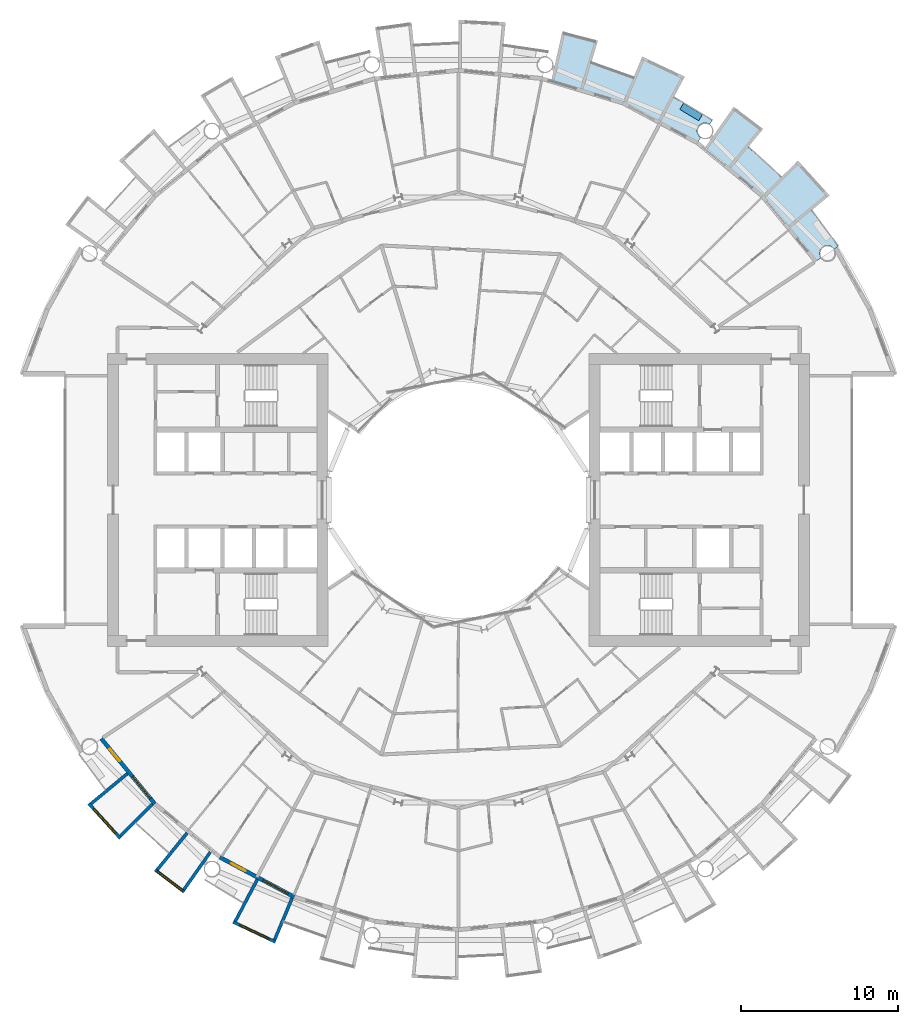
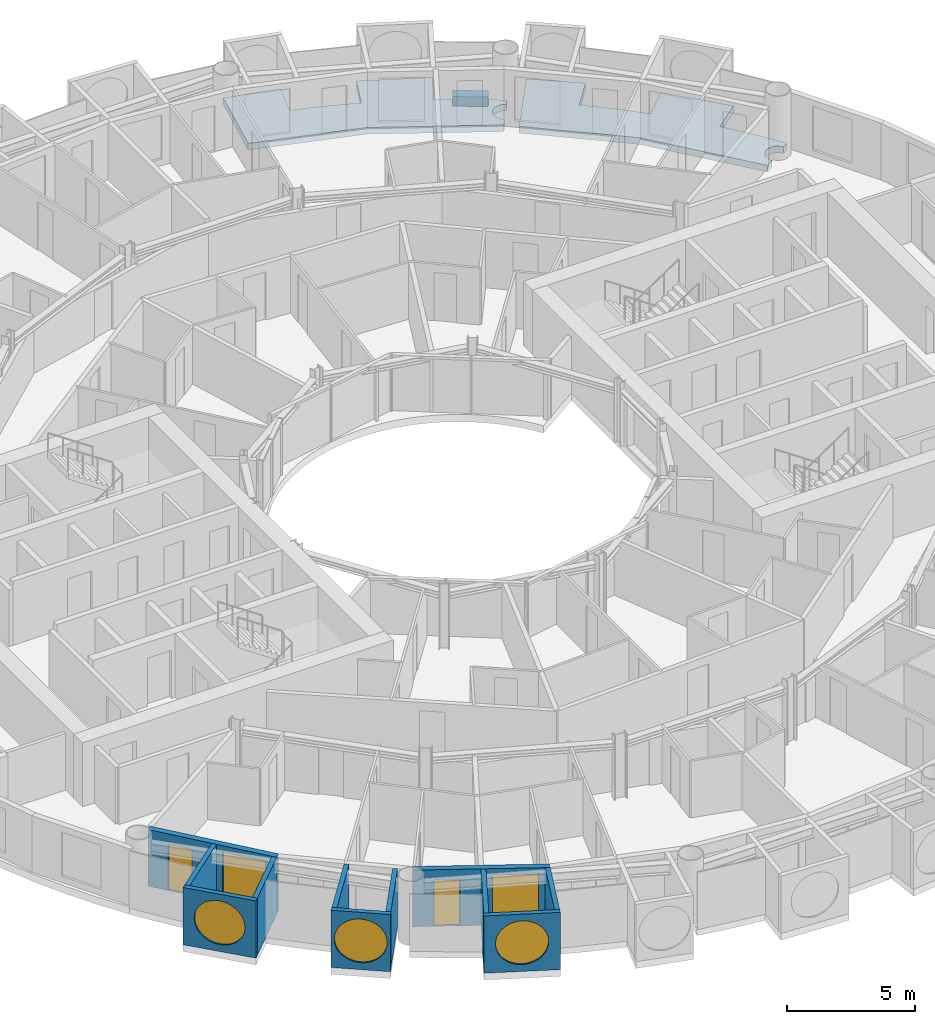
# One storey, part 12 of 26: 11 walls, 5 windows, 3 slabs, 2 doors, 7 openings.
"""IFC4 building model written with IfcOpenShell, lengths in metres."""

from ifc_helpers import new_model, si_unit, direction, frame, frame_2d, origin, place, context, subcontext, project, spatial, polyline, rectangle, circle, outline, extrude, material, layer, layer_set, type_object, element, fill, save


model = new_model("IFC4")

# Units and contexts
model_context = context("Model", 3, precision=1e-05, world=origin(), true_north=direction((0.0, 1.0)))
body_context = subcontext(model_context, "Body", "Model", "MODEL_VIEW")
ifc_project = project(units=[si_unit("LENGTHUNIT", "METRE"), si_unit("AREAUNIT", "SQUARE_METRE"), si_unit("VOLUMEUNIT", "CUBIC_METRE"), si_unit("PLANEANGLEUNIT", "RADIAN"), si_unit("MASSUNIT", "GRAM", prefix="KILO")], contexts=[model_context])

# Site, building, storey
site_placement = place(None, origin())
site = spatial("IfcSite", under=ifc_project, at=site_placement, CompositionType="ELEMENT")
building_placement = place(site_placement, origin())
building = spatial("IfcBuilding", under=site, at=building_placement, Name="Maasbend Ring Residences", CompositionType="ELEMENT")
storey_placement = place(building_placement, frame((0.0, 0.0, 84.949951171875)))
storey = spatial("IfcBuildingStorey", under=building, at=storey_placement, Name="L24", CompositionType="ELEMENT", Elevation=84.949951171875)

# Slabs
ifc_material_1 = material(Name="Planting with climbing greenery")
ifc_layer_1 = layer(ifc_material_1, 0.449951171875)
ifc_layer_set_1 = layer_set([ifc_layer_1], Name="PLANTER-LG")
slab_type_1 = type_object("IfcSlabType", Name="PLANTER-LG", PredefinedType="USERDEFINED", material=ifc_layer_set_1)
slab_1_placement = place(storey_placement, frame((0.0, 0.0, -0.030029296875)))
element("IfcSlab", 1, at=slab_1_placement, inside=storey, type_object=slab_type_1, Name="Planter with climbing greenery 2", ObjectType="PLANTER", PredefinedType="USERDEFINED", context=body_context, shape_type="SweptSolid", body=[
    extrude(outline(polyline([(15.490966796875, 24.48388671875), (14.291015625, 25.2041015625), (14.05908203125, 24.818115234375), (15.260009765625, 24.097900390625), (15.490966796875, 24.48388671875)])), origin(), (0.0, 0.0, 1.0), 0.4501953125),
])
ifc_material_2 = material(Name="Concrete C40/50", Category="concrete")
ifc_layer_2 = layer(ifc_material_2, 0.199951171875)
ifc_layer_set_2 = layer_set([ifc_layer_2], Name="Concrete C40/50")
slab_type_2 = type_object("IfcSlabType", Name="SL-LOGGIA", PredefinedType="FLOOR", material=ifc_layer_set_2)
slab_2_placement = place(storey_placement, frame((0.0, 0.0, -0.349853515625)))
element("IfcSlab", 2, at=slab_2_placement, inside=storey, type_object=slab_type_2, Name="Loggia floor 1", PredefinedType="FLOOR", context=body_context, shape_type="SweptSolid", body=[
    extrude(outline(polyline([(8.85400390625, 29.18701171875), (8.85400390625, 29.18701171875), (8.85400390625, 29.18701171875), (8.41796875, 27.751953125), (8.41796875, 27.751953125), (8.41796875, 27.751953125), (8.41796875, 27.751953125), (8.41796875, 27.751953125), (8.41796875, 27.751953125), (8.41796875, 27.7509765625), (8.41796875, 27.7509765625), (8.41796875, 27.7509765625), (8.41796875, 27.7509765625), (8.41796875, 27.7509765625), (8.4189453125, 27.7509765625), (8.4189453125, 27.7509765625), (8.4189453125, 27.7509765625), (8.4189453125, 27.7509765625), (8.4189453125, 27.7509765625), (8.4189453125, 27.7509765625), (9.322021484375, 27.4609375), (9.322021484375, 27.4609375), (10.215087890625, 27.14111328125), (10.215087890625, 27.14111328125), (11.096923828125, 26.79296875), (11.096923828125, 26.79296875), (11.096923828125, 26.79296875), (11.097900390625, 26.79296875), (11.097900390625, 26.79296875), (11.097900390625, 26.79296875), (11.097900390625, 26.79296875), (11.097900390625, 26.79296875), (11.097900390625, 26.79296875), (11.097900390625, 26.79296875), (11.097900390625, 26.79296875), (11.097900390625, 26.79296875), (11.097900390625, 26.79296875), (11.097900390625, 26.79296875), (11.097900390625, 26.79296875), (11.097900390625, 26.79296875), (11.097900390625, 26.79296875), (11.672119140625, 28.177978515625), (11.672119140625, 28.177978515625), (11.672119140625, 28.177978515625), (14.3779296875, 26.89892578125), (14.3779296875, 26.89892578125), (14.3779296875, 26.89892578125), (13.6708984375, 25.575927734375), (13.6708984375, 25.575927734375), (13.6708984375, 25.575927734375), (13.6708984375, 25.575927734375), (13.6708984375, 25.575927734375), (13.6708984375, 25.575927734375), (13.6708984375, 25.575927734375), (13.6708984375, 25.575927734375), (13.6708984375, 25.575927734375), (13.6708984375, 25.575927734375), (13.6708984375, 25.575927734375), (13.6708984375, 25.575927734375), (13.6708984375, 25.575927734375), (13.6708984375, 25.575927734375), (13.6708984375, 25.575927734375), (13.6708984375, 25.575927734375), (13.6708984375, 25.574951171875), (14.5, 25.114990234375), (14.5, 25.114990234375), (15.31396484375, 24.626953125), (15.31396484375, 24.626953125), (16.112060546875, 24.113037109375), (16.112060546875, 24.113037109375), (16.112060546875, 24.113037109375), (15.948974609375, 23.8701171875), (15.93896484375, 23.876953125), (15.927978515625, 23.883056640625), (15.9169921875, 23.888916015625), (15.906982421875, 23.89501953125), (15.89599609375, 23.90087890625), (15.884033203125, 23.906982421875), (15.873046875, 23.912109375), (15.862060546875, 23.9169921875), (15.85009765625, 23.9208984375), (15.837890625, 23.926025390625), (15.825927734375, 23.929931640625), (15.81494140625, 23.93408203125), (15.802978515625, 23.93701171875), (15.791015625, 23.93994140625), (15.778076171875, 23.943115234375), (15.76611328125, 23.946044921875), (15.75390625, 23.947998046875), (15.741943359375, 23.949951171875), (15.72900390625, 23.951904296875), (15.717041015625, 23.952880859375), (15.7041015625, 23.9541015625), (15.69189453125, 23.955078125), (15.679931640625, 23.955078125), (15.6669921875, 23.955078125), (15.655029296875, 23.955078125), (15.64208984375, 23.955078125), (15.6298828125, 23.9541015625), (15.616943359375, 23.952880859375), (15.60498046875, 23.951904296875), (15.593017578125, 23.949951171875), (15.580078125, 23.947998046875), (15.568115234375, 23.946044921875), (15.555908203125, 23.943115234375), (15.5439453125, 23.93994140625), (15.531982421875, 23.93701171875), (15.52001953125, 23.93408203125), (15.508056640625, 23.929931640625), (15.49609375, 23.926025390625), (15.48388671875, 23.9208984375), (15.472900390625, 23.9169921875), (15.4609375, 23.912109375), (15.449951171875, 23.906982421875), (15.43896484375, 23.90087890625), (15.427978515625, 23.89501953125), (15.4169921875, 23.888916015625), (15.406005859375, 23.883056640625), (15.39501953125, 23.876953125), (15.385009765625, 23.8701171875), (15.375, 23.863037109375), (15.364013671875, 23.85498046875), (15.35498046875, 23.847900390625), (15.344970703125, 23.840087890625), (15.3349609375, 23.83203125), (15.325927734375, 23.823974609375), (15.31689453125, 23.81494140625), (15.30810546875, 23.806884765625), (15.299072265625, 23.798095703125), (15.291015625, 23.7890625), (15.281982421875, 23.779052734375), (15.27392578125, 23.77001953125), (15.26708984375, 23.760009765625), (15.259033203125, 23.75), (15.251953125, 23.739990234375), (15.2451171875, 23.72998046875), (15.238037109375, 23.718994140625), (15.23095703125, 23.708984375), (15.22509765625, 23.697998046875), (15.218994140625, 23.68701171875), (15.212890625, 23.676025390625), (15.2080078125, 23.6650390625), (15.202880859375, 23.653076171875), (15.197998046875, 23.64208984375), (15.193115234375, 23.6298828125), (15.18896484375, 23.618896484375), (15.18505859375, 23.60693359375), (15.180908203125, 23.594970703125), (15.177978515625, 23.5830078125), (15.174072265625, 23.571044921875), (15.1708984375, 23.55908203125), (15.1689453125, 23.547119140625), (15.1669921875, 23.533935546875), (15.1650390625, 23.52197265625), (15.1630859375, 23.510009765625), (15.162109375, 23.4970703125), (15.159912109375, 23.485107421875), (15.159912109375, 23.471923828125), (15.158935546875, 23.4599609375), (15.158935546875, 23.447021484375), (15.158935546875, 23.43505859375), (15.159912109375, 23.422119140625), (15.159912109375, 23.409912109375), (15.162109375, 23.39794921875), (15.1630859375, 23.385009765625), (15.1650390625, 23.373046875), (15.1669921875, 23.361083984375), (15.1689453125, 23.347900390625), (15.1708984375, 23.3359375), (15.174072265625, 23.323974609375), (15.177978515625, 23.31201171875), (15.180908203125, 23.300048828125), (15.18505859375, 23.2880859375), (15.18896484375, 23.27587890625), (15.193115234375, 23.264892578125), (15.197998046875, 23.2529296875), (15.202880859375, 23.241943359375), (15.2080078125, 23.22998046875), (15.212890625, 23.218994140625), (15.218994140625, 23.2080078125), (15.22509765625, 23.197021484375), (15.23095703125, 23.18603515625), (15.238037109375, 23.176025390625), (15.2451171875, 23.1650390625), (15.251953125, 23.155029296875), (15.259033203125, 23.14501953125), (15.26708984375, 23.135009765625), (15.27392578125, 23.125), (15.281982421875, 23.115966796875), (15.291015625, 23.10595703125), (15.299072265625, 23.096923828125), (15.30810546875, 23.087890625), (15.31689453125, 23.0791015625), (15.325927734375, 23.071044921875), (15.3349609375, 23.06298828125), (15.344970703125, 23.054931640625), (15.35498046875, 23.047119140625), (15.364013671875, 23.0390625), (15.375, 23.031982421875), (15.385009765625, 23.02490234375), (15.1669921875, 22.698974609375), (15.1669921875, 22.698974609375), (15.1669921875, 22.698974609375), (12.806884765625, 23.9609375), (10.447021484375, 25.221923828125), (10.447021484375, 25.221923828125), (10.447021484375, 25.221923828125), (7.886962890625, 25.9990234375), (5.89111328125, 26.60400390625), (5.89111328125, 26.60400390625), (5.89111328125, 26.60400390625), (6.593994140625, 29.779052734375), (6.593994140625, 29.779052734375), (6.593994140625, 29.779052734375), (8.85400390625, 29.18701171875)])), origin(), (0.0, 0.0, 1.0), 0.31982421875),
])
slab_3_placement = place(storey_placement, frame((0.0, 0.0, -0.349853515625)))
element("IfcSlab", 3, at=slab_3_placement, inside=storey, type_object=slab_type_2, Name="Loggia floor 4", PredefinedType="FLOOR", context=body_context, shape_type="SweptSolid", body=[
    extrude(outline(polyline([(19.34912109375, 23.576904296875), (19.34912109375, 23.576904296875), (19.34912109375, 23.576904296875), (18.39794921875, 22.41796875), (18.39794921875, 22.41796875), (18.39794921875, 22.41796875), (18.39794921875, 22.41796875), (18.39794921875, 22.41796875), (18.39794921875, 22.4169921875), (18.39794921875, 22.4169921875), (18.39794921875, 22.4169921875), (18.39794921875, 22.4169921875), (18.39794921875, 22.4169921875), (18.39794921875, 22.4169921875), (18.39794921875, 22.4169921875), (18.39794921875, 22.4169921875), (18.39794921875, 22.4169921875), (18.39794921875, 22.4169921875), (18.39794921875, 22.4169921875), (18.39794921875, 22.4169921875), (19.12109375, 21.802978515625), (19.12109375, 21.802978515625), (19.823974609375, 21.166015625), (19.823974609375, 21.166015625), (20.506103515625, 20.506103515625), (20.506103515625, 20.506103515625), (20.506103515625, 20.506103515625), (20.506103515625, 20.506103515625), (20.506103515625, 20.506103515625), (20.506103515625, 20.506103515625), (20.506103515625, 20.506103515625), (20.506103515625, 20.506103515625), (20.506103515625, 20.506103515625), (20.506103515625, 20.506103515625), (20.506103515625, 20.506103515625), (20.506103515625, 20.506103515625), (20.506103515625, 20.506103515625), (20.506103515625, 20.506103515625), (20.506103515625, 20.506103515625), (20.506103515625, 20.506103515625), (20.506103515625, 20.506103515625), (21.56689453125, 21.56689453125), (21.56689453125, 21.56689453125), (21.56689453125, 21.56689453125), (23.576904296875, 19.34912109375), (23.576904296875, 19.34912109375), (23.576904296875, 19.34912109375), (22.41796875, 18.39794921875), (22.41796875, 18.39794921875), (22.41796875, 18.39794921875), (22.41796875, 18.39794921875), (22.41796875, 18.39794921875), (22.41796875, 18.39794921875), (22.41796875, 18.39697265625), (22.41796875, 18.39697265625), (22.41796875, 18.39697265625), (22.41796875, 18.39697265625), (22.41796875, 18.39697265625), (22.41796875, 18.39697265625), (22.41796875, 18.39697265625), (22.41796875, 18.39697265625), (22.41796875, 18.39697265625), (22.41796875, 18.39697265625), (22.41796875, 18.39697265625), (23.007080078125, 17.654052734375), (23.007080078125, 17.654052734375), (23.572998046875, 16.89208984375), (23.572998046875, 16.89208984375), (24.113037109375, 16.112060546875), (24.113037109375, 16.112060546875), (24.113037109375, 16.112060546875), (23.8701171875, 15.948974609375), (23.8701171875, 15.948974609375), (23.863037109375, 15.9599609375), (23.85498046875, 15.969970703125), (23.847900390625, 15.97998046875), (23.840087890625, 15.989013671875), (23.83203125, 15.9990234375), (23.823974609375, 16.008056640625), (23.81494140625, 16.01708984375), (23.806884765625, 16.02587890625), (23.798095703125, 16.034912109375), (23.7890625, 16.0439453125), (23.779052734375, 16.052001953125), (23.77001953125, 16.06005859375), (23.760009765625, 16.068115234375), (23.75, 16.074951171875), (23.739990234375, 16.08203125), (23.72998046875, 16.089111328125), (23.718994140625, 16.095947265625), (23.708984375, 16.10302734375), (23.697998046875, 16.10888671875), (23.68701171875, 16.114990234375), (23.676025390625, 16.12109375), (23.6650390625, 16.1259765625), (23.653076171875, 16.132080078125), (23.64208984375, 16.135986328125), (23.6298828125, 16.14111328125), (23.618896484375, 16.14501953125), (23.60693359375, 16.14892578125), (23.594970703125, 16.153076171875), (23.5830078125, 16.156982421875), (23.571044921875, 16.159912109375), (23.55908203125, 16.1630859375), (23.547119140625, 16.1650390625), (23.533935546875, 16.16796875), (23.52197265625, 16.169921875), (23.510009765625, 16.1708984375), (23.4970703125, 16.173095703125), (23.485107421875, 16.174072265625), (23.471923828125, 16.174072265625), (23.4599609375, 16.175048828125), (23.447021484375, 16.175048828125), (23.43505859375, 16.175048828125), (23.422119140625, 16.174072265625), (23.409912109375, 16.174072265625), (23.39794921875, 16.173095703125), (23.385009765625, 16.1708984375), (23.373046875, 16.169921875), (23.361083984375, 16.16796875), (23.347900390625, 16.1650390625), (23.3359375, 16.1630859375), (23.323974609375, 16.159912109375), (23.31201171875, 16.156982421875), (23.300048828125, 16.153076171875), (23.2880859375, 16.14892578125), (23.27587890625, 16.14501953125), (23.264892578125, 16.14111328125), (23.2529296875, 16.135986328125), (23.241943359375, 16.132080078125), (23.22998046875, 16.1259765625), (23.218994140625, 16.12109375), (23.2080078125, 16.114990234375), (23.197021484375, 16.10888671875), (23.18603515625, 16.10302734375), (23.176025390625, 16.095947265625), (23.1650390625, 16.089111328125), (23.155029296875, 16.08203125), (23.14501953125, 16.074951171875), (23.135009765625, 16.068115234375), (23.125, 16.06005859375), (23.115966796875, 16.052001953125), (23.10595703125, 16.0439453125), (23.096923828125, 16.034912109375), (23.087890625, 16.02587890625), (23.0791015625, 16.01708984375), (23.071044921875, 16.008056640625), (23.06298828125, 15.9990234375), (23.054931640625, 15.989013671875), (23.047119140625, 15.97998046875), (23.0390625, 15.969970703125), (23.031982421875, 15.9599609375), (23.02490234375, 15.948974609375), (23.01806640625, 15.93896484375), (23.011962890625, 15.927978515625), (23.0048828125, 15.9169921875), (22.9990234375, 15.906982421875), (22.993896484375, 15.89599609375), (22.988037109375, 15.884033203125), (22.98291015625, 15.873046875), (22.97802734375, 15.862060546875), (22.972900390625, 15.85009765625), (22.968994140625, 15.837890625), (22.965087890625, 15.825927734375), (22.9609375, 15.81494140625), (22.9580078125, 15.802978515625), (22.955078125, 15.791015625), (22.951904296875, 15.778076171875), (22.948974609375, 15.76611328125), (22.947021484375, 15.75390625), (22.945068359375, 15.741943359375), (22.943115234375, 15.72900390625), (22.94189453125, 15.717041015625), (22.94091796875, 15.7041015625), (22.93994140625, 15.69189453125), (22.93994140625, 15.679931640625), (22.93896484375, 15.6669921875), (22.93994140625, 15.655029296875), (22.93994140625, 15.64208984375), (22.94091796875, 15.6298828125), (22.94189453125, 15.616943359375), (22.943115234375, 15.60498046875), (22.945068359375, 15.593017578125), (22.947021484375, 15.580078125), (22.948974609375, 15.568115234375), (22.951904296875, 15.555908203125), (22.955078125, 15.5439453125), (22.9580078125, 15.531982421875), (22.9609375, 15.52001953125), (22.965087890625, 15.508056640625), (22.968994140625, 15.49609375), (22.972900390625, 15.48388671875), (22.97802734375, 15.472900390625), (22.98291015625, 15.4609375), (22.988037109375, 15.449951171875), (22.993896484375, 15.43896484375), (22.9990234375, 15.427978515625), (23.0048828125, 15.4169921875), (23.011962890625, 15.406005859375), (23.01806640625, 15.39501953125), (23.02490234375, 15.385009765625), (23.02490234375, 15.385009765625), (22.698974609375, 15.1669921875), (22.698974609375, 15.1669921875), (22.698974609375, 15.1669921875), (21.001953125, 17.236083984375), (19.303955078125, 19.303955078125), (19.303955078125, 19.303955078125), (19.303955078125, 19.303955078125), (17.236083984375, 21.001953125), (15.623046875, 22.324951171875), (15.623046875, 22.324951171875), (15.623046875, 22.324951171875), (17.488037109375, 24.989013671875), (17.488037109375, 24.989013671875), (17.488037109375, 24.989013671875), (19.34912109375, 23.576904296875)])), origin(), (0.0, 0.0, 1.0), 0.31982421875),
])

# Wall, opening, window
ifc_material_3 = material(Name="Pale anodised aluminium panel", Category="aluminium")
ifc_layer_3 = layer(ifc_material_3, 0.199951171875)
ifc_layer_set_3 = layer_set([ifc_layer_3], Name="EW-BOX")
wall_type_1 = type_object("IfcWallType", Name="EW-BOX", PredefinedType="SOLIDWALL", material=ifc_layer_set_3)
wall_1_placement = place(storey_placement, frame((-23.5029296875, -19.281982421875, -0.030029296875), z_axis=(0.0, 0.0, 1.0), x_axis=(0.671506829416, -0.740998365753, 0.0)))
wall_1 = element("IfcWall", 4, at=wall_1_placement, inside=storey, type_object=wall_type_1, Name="Box front S02", PredefinedType="SOLIDWALL", context=body_context, shape_type="SweptSolid", body=[
    extrude(rectangle(XDim=2.9931640625, YDim=0.199951171875, at=frame_2d((1.49658203125, 0.0))), origin(), (0.0, 0.0, 1.0), 2.72998046875),
])
opening_1_placement = place(wall_1_placement, frame((0.45654296875, 0.0, 0.330078125)))
opening_1 = element("IfcOpeningElement", 5, at=opening_1_placement, cuts=wall_1, Name="Opening W-RD", PredefinedType="OPENING", context=body_context, shape_type="SweptSolid", body=[
    extrude(circle(Radius=1.0400390625, at=frame_2d((1.0400390625, 1.0400390625))), frame((0.0, 0.10986328125, 0.0), z_axis=(0.0, -1.0, 0.0), x_axis=(1.0, 0.0, 0.0)), (0.0, 0.0, 1.0), 0.219970703125),
])
ifc_material_4 = material(Name="Aluminium and clear glass", Category="aluminium")
window_type_1 = type_object("IfcWindowType", Name="W-RD", PartitioningType="SINGLE_PANEL", PredefinedType="WINDOW", material=ifc_material_4)
window_1_placement = place(opening_1_placement, origin())
window_1 = element("IfcWindow", 6, at=window_1_placement, inside=storey, type_object=window_type_1, Name="Round window S02", OverallHeight=2.080078125, OverallWidth=2.080078125, PartitioningType="SINGLE_PANEL", PredefinedType="WINDOW", context=body_context, shape_type="SweptSolid", body=[
    extrude(circle(Radius=1.0400390625, at=frame_2d((1.0400390625, 1.0400390625))), frame((0.0, 0.030029296875, 0.0), z_axis=(0.0, -1.0, 0.0), x_axis=(1.0, 0.0, 0.0)), (0.0, 0.0, 1.0), 0.06005859375),
])
fill(opening_1, window_1)

# Walls
wall_2_placement = place(storey_placement, frame((-21.041015625, -17.384033203125, -0.030029296875), z_axis=(0.0, 0.0, 1.0), x_axis=(-0.770784861449, -0.63709551667, 0.0)))
element("IfcWall", 7, at=wall_2_placement, inside=storey, type_object=wall_type_1, Name="Box side wall S02 left", PredefinedType="SOLIDWALL", context=body_context, shape_type="SweptSolid", body=[
    extrude(rectangle(XDim=3.005859375, YDim=0.199951171875, at=frame_2d((1.5029296875, 0.0))), origin(), (0.0, 0.0, 1.0), 2.72998046875),
])
wall_3_placement = place(storey_placement, frame((-19.449951171875, -19.322998046875, -0.030029296875), z_axis=(0.0, 0.0, 1.0), x_axis=(-0.709727076896, -0.704476739375, 0.0)))
element("IfcWall", 8, at=wall_3_placement, inside=storey, type_object=wall_type_1, Name="Box side wall S02 right", PredefinedType="SOLIDWALL", context=body_context, shape_type="SweptSolid", body=[
    extrude(rectangle(XDim=2.883056640625, YDim=0.199951171875, at=frame_2d((1.44140625, 0.0))), origin(), (0.0, 0.0, 1.0), 2.72998046875),
])

# Wall, opening, window
wall_4_placement = place(storey_placement, frame((-19.2890625, -23.4970703125, -0.030029296875), z_axis=(0.0, 0.0, 1.0), x_axis=(0.796842165306, -0.60418752353, 0.0)))
wall_4 = element("IfcWall", 9, at=wall_4_placement, inside=storey, type_object=wall_type_1, Name="Box front S04", PredefinedType="SOLIDWALL", context=body_context, shape_type="SweptSolid", body=[
    extrude(rectangle(XDim=2.3369140625, YDim=0.199951171875, at=frame_2d((1.16845703125, 0.0))), origin(), (0.0, 0.0, 1.0), 2.72998046875),
])
opening_2_placement = place(wall_4_placement, frame((0.128173828125, 0.0, 0.330078125)))
opening_2 = element("IfcOpeningElement", 10, at=opening_2_placement, cuts=wall_4, Name="Opening W-RD", PredefinedType="OPENING", context=body_context, shape_type="SweptSolid", body=[
    extrude(circle(Radius=1.0400390625, at=frame_2d((1.0400390625, 1.0400390625))), frame((0.0, 0.10986328125, 0.0), z_axis=(0.0, -1.0, 0.0), x_axis=(1.0, 0.0, 0.0)), (0.0, 0.0, 1.0), 0.219970703125),
])
window_2_placement = place(opening_2_placement, origin())
window_2 = element("IfcWindow", 11, at=window_2_placement, inside=storey, type_object=window_type_1, Name="Round window S04", OverallHeight=2.080078125, OverallWidth=2.080078125, PartitioningType="SINGLE_PANEL", PredefinedType="WINDOW", context=body_context, shape_type="SweptSolid", body=[
    extrude(circle(Radius=1.0400390625, at=frame_2d((1.0400390625, 1.0400390625))), frame((0.0, 0.030029296875, 0.0), z_axis=(0.0, -1.0, 0.0), x_axis=(1.0, 0.0, 0.0)), (0.0, 0.0, 1.0), 0.06005859375),
])
fill(opening_2, window_2)

# Walls
wall_5_placement = place(storey_placement, frame((-17.24609375, -21.155029296875, -0.030029296875), z_axis=(0.0, 0.0, 1.0), x_axis=(-0.631741648902, -0.775179004516, 0.0)))
element("IfcWall", 12, at=wall_5_placement, inside=storey, type_object=wall_type_1, Name="Box side wall S04 left", PredefinedType="SOLIDWALL", context=body_context, shape_type="SweptSolid", body=[
    extrude(rectangle(XDim=3.005859375, YDim=0.199951171875, at=frame_2d((1.5029296875, 0.0))), origin(), (0.0, 0.0, 1.0), 2.72998046875),
])
wall_6_placement = place(storey_placement, frame((-15.764892578125, -22.3701171875, -0.030029296875), z_axis=(0.0, 0.0, 1.0), x_axis=(-0.576274612209, -0.817256123454, 0.0)))
element("IfcWall", 13, at=wall_6_placement, inside=storey, type_object=wall_type_1, Name="Box side wall S04 right", PredefinedType="SOLIDWALL", context=body_context, shape_type="SweptSolid", body=[
    extrude(rectangle(XDim=2.932861328125, YDim=0.199951171875, at=frame_2d((1.46630859375, 0.0))), origin(), (0.0, 0.0, 1.0), 2.72998046875),
])

# Wall, opening, window
wall_7_placement = place(storey_placement, frame((-14.3349609375, -26.80810546875, -0.030029296875), z_axis=(0.0, 0.0, 1.0), x_axis=(0.904000060331, -0.427532327342, 0.0)))
wall_7 = element("IfcWall", 14, at=wall_7_placement, inside=storey, type_object=wall_type_1, Name="Box front S06", PredefinedType="SOLIDWALL", context=body_context, shape_type="SweptSolid", body=[
    extrude(rectangle(XDim=2.993408203125, YDim=0.199951171875, at=frame_2d((1.49658203125, 0.0))), origin(), (0.0, 0.0, 1.0), 2.72998046875),
])
opening_3_placement = place(wall_7_placement, frame((0.45654296875, 0.0, 0.330078125)))
opening_3 = element("IfcOpeningElement", 15, at=opening_3_placement, cuts=wall_7, Name="Opening W-RD", PredefinedType="OPENING", context=body_context, shape_type="SweptSolid", body=[
    extrude(circle(Radius=1.0400390625, at=frame_2d((1.0400390625, 1.0400390625))), frame((0.0, 0.10986328125, 0.0), z_axis=(0.0, -1.0, 0.0), x_axis=(1.0, 0.0, 0.0)), (0.0, 0.0, 1.0), 0.219970703125),
])
window_3_placement = place(opening_3_placement, origin())
window_3 = element("IfcWindow", 16, at=window_3_placement, inside=storey, type_object=window_type_1, Name="Round window S06", OverallHeight=2.080078125, OverallWidth=2.080078125, PartitioningType="SINGLE_PANEL", PredefinedType="WINDOW", context=body_context, shape_type="SweptSolid", body=[
    extrude(circle(Radius=1.0400390625, at=frame_2d((1.0400390625, 1.0400390625))), frame((0.0, 0.030029296875, 0.0), z_axis=(0.0, -1.0, 0.0), x_axis=(1.0, 0.0, 0.0)), (0.0, 0.0, 1.0), 0.06005859375),
])
fill(opening_3, window_3)

# Walls
wall_8_placement = place(storey_placement, frame((-12.787109375, -24.113037109375, -0.030029296875), z_axis=(0.0, 0.0, 1.0), x_axis=(-0.468365282436, -0.883534924159, 0.0)))
element("IfcWall", 17, at=wall_8_placement, inside=storey, type_object=wall_type_1, Name="Box side wall S06 left", PredefinedType="SOLIDWALL", context=body_context, shape_type="SweptSolid", body=[
    extrude(rectangle(XDim=3.006103515625, YDim=0.199951171875, at=frame_2d((1.5029296875, 0.0))), origin(), (0.0, 0.0, 1.0), 2.72998046875),
])
wall_9_placement = place(storey_placement, frame((-10.574951171875, -25.294921875, -0.030029296875), z_axis=(0.0, 0.0, 1.0), x_axis=(-0.385697364644, -0.922625353492, 0.0)))
element("IfcWall", 18, at=wall_9_placement, inside=storey, type_object=wall_type_1, Name="Box side wall S06 right", PredefinedType="SOLIDWALL", context=body_context, shape_type="SweptSolid", body=[
    extrude(rectangle(XDim=2.88330078125, YDim=0.199951171875, at=frame_2d((1.441650390625, 0.0))), origin(), (0.0, 0.0, 1.0), 2.72998046875),
])

# Wall, openings, door, window
ifc_material_5 = material(Name="Aluminium clad insulated panel", Category="aluminium")
ifc_layer_4 = layer(ifc_material_5, 0.25)
ifc_layer_set_4 = layer_set([ifc_layer_4], Name="EW-GL")
wall_type_2 = type_object("IfcWallType", Name="EW-GL", PredefinedType="SOLIDWALL", material=ifc_layer_set_4)
wall_10_placement = place(storey_placement, frame((-22.698974609375, -15.1669921875, 0.0), z_axis=(0.0, 0.0, 1.0), x_axis=(0.634382322723, -0.773019449054, 0.0)))
wall_10 = element("IfcWall", 19, at=wall_10_placement, inside=storey, type_object=wall_type_2, Name="External wall S01", PredefinedType="SOLIDWALL", context=body_context, shape_type="SweptSolid", body=[
    extrude(rectangle(XDim=5.351806640625, YDim=0.25, at=frame_2d((2.67578125, 0.0))), origin(), (0.0, 0.0, 1.0), 2.699951171875),
])
opening_4_placement = place(wall_10_placement, frame((0.841064453125, 0.0, 0.0)))
opening_4 = element("IfcOpeningElement", 20, at=opening_4_placement, cuts=wall_10, Name="Opening D-LG", PredefinedType="OPENING", context=body_context, shape_type="SweptSolid", body=[
    extrude(rectangle(XDim=1.0, YDim=2.199951171875, at=frame_2d((0.5, 1.10009765625))), frame((0.0, 0.135009765625, 0.0), z_axis=(0.0, -1.0, 0.0), x_axis=(1.0, 0.0, 0.0)), (0.0, 0.0, 1.0), 0.27001953125),
])
opening_5_placement = place(wall_10_placement, frame((3.110595703125, 0.0, 0.300048828125)))
opening_5 = element("IfcOpeningElement", 21, at=opening_5_placement, cuts=wall_10, Name="Opening W-BX", PredefinedType="OPENING", context=body_context, shape_type="SweptSolid", body=[
    extrude(rectangle(XDim=1.800048828125, YDim=2.10009765625, at=frame_2d((0.89990234375, 1.050048828125))), frame((0.0, 0.135009765625, 0.0), z_axis=(0.0, -1.0, 0.0), x_axis=(1.0, 0.0, 0.0)), (0.0, 0.0, 1.0), 0.27001953125),
])
ifc_material_6 = material(Name="Aluminium and clear glass", Category="aluminium")
door_type = type_object("IfcDoorType", Name="D-LG", OperationType="SINGLE_SWING_LEFT", PredefinedType="DOOR", material=ifc_material_6)
door_1_placement = place(opening_4_placement, origin())
door_1 = element("IfcDoor", 22, at=door_1_placement, inside=storey, type_object=door_type, Name="Loggia door S01", OperationType="SINGLE_SWING_LEFT", OverallHeight=2.199951171875, OverallWidth=1.0, PredefinedType="DOOR", context=body_context, shape_type="SweptSolid", body=[
    extrude(rectangle(XDim=1.0, YDim=2.199951171875, at=frame_2d((0.5, 1.10009765625))), frame((0.0, 0.02490234375, 0.0), z_axis=(0.0, -1.0, 0.0), x_axis=(1.0, 0.0, 0.0)), (0.0, 0.0, 1.0), 0.050048828125),
])
fill(opening_4, door_1)
ifc_material_7 = material(Name="Aluminium and clear glass", Category="aluminium")
window_type_2 = type_object("IfcWindowType", Name="W-BX", PartitioningType="DOUBLE_PANEL_VERTICAL", PredefinedType="WINDOW", material=ifc_material_7)
window_4_placement = place(opening_5_placement, origin())
window_4 = element("IfcWindow", 23, at=window_4_placement, inside=storey, type_object=window_type_2, Name="Window S02 room to box", OverallHeight=2.10009765625, OverallWidth=1.800048828125, PartitioningType="SINGLE_PANEL", PredefinedType="WINDOW", context=body_context, shape_type="SweptSolid", body=[
    extrude(rectangle(XDim=1.800048828125, YDim=2.10009765625, at=frame_2d((0.89990234375, 1.050048828125))), frame((0.0, 0.030029296875, 0.0), z_axis=(0.0, -1.0, 0.0), x_axis=(1.0, 0.0, 0.0)), (0.0, 0.0, 1.0), 0.06005859375),
])
fill(opening_5, window_4)

wall_11_placement = place(storey_placement, frame((-15.1669921875, -22.698974609375, 0.0), z_axis=(0.0, 0.0, 1.0), x_axis=(0.881915646801, -0.471407246368, 0.0)))
wall_11 = element("IfcWall", 24, at=wall_11_placement, inside=storey, type_object=wall_type_2, Name="External wall S03", PredefinedType="SOLIDWALL", context=body_context, shape_type="SweptSolid", body=[
    extrude(rectangle(XDim=5.35205078125, YDim=0.25, at=frame_2d((2.676025390625, 0.0))), origin(), (0.0, 0.0, 1.0), 2.699951171875),
])
opening_6_placement = place(wall_11_placement, frame((0.841064453125, 0.0, 0.0)))
opening_6 = element("IfcOpeningElement", 25, at=opening_6_placement, cuts=wall_11, Name="Opening D-LG", PredefinedType="OPENING", context=body_context, shape_type="SweptSolid", body=[
    extrude(rectangle(XDim=1.0, YDim=2.199951171875, at=frame_2d((0.5, 1.10009765625))), frame((0.0, 0.135009765625, 0.0), z_axis=(0.0, -1.0, 0.0), x_axis=(1.0, 0.0, 0.0)), (0.0, 0.0, 1.0), 0.27001953125),
])
opening_7_placement = place(wall_11_placement, frame((3.110595703125, 0.0, 0.300048828125)))
opening_7 = element("IfcOpeningElement", 26, at=opening_7_placement, cuts=wall_11, Name="Opening W-BX", PredefinedType="OPENING", context=body_context, shape_type="SweptSolid", body=[
    extrude(rectangle(XDim=1.800048828125, YDim=2.10009765625, at=frame_2d((0.89990234375, 1.050048828125))), frame((0.0, 0.135009765625, 0.0), z_axis=(0.0, -1.0, 0.0), x_axis=(1.0, 0.0, 0.0)), (0.0, 0.0, 1.0), 0.27001953125),
])
door_2_placement = place(opening_6_placement, origin())
door_2 = element("IfcDoor", 27, at=door_2_placement, inside=storey, type_object=door_type, Name="Loggia door S05", OperationType="SINGLE_SWING_LEFT", OverallHeight=2.199951171875, OverallWidth=1.0, PredefinedType="DOOR", context=body_context, shape_type="SweptSolid", body=[
    extrude(rectangle(XDim=1.0, YDim=2.199951171875, at=frame_2d((0.5, 1.10009765625))), frame((0.0, 0.02490234375, 0.0), z_axis=(0.0, -1.0, 0.0), x_axis=(1.0, 0.0, 0.0)), (0.0, 0.0, 1.0), 0.050048828125),
])
fill(opening_6, door_2)
window_5_placement = place(opening_7_placement, origin())
window_5 = element("IfcWindow", 28, at=window_5_placement, inside=storey, type_object=window_type_2, Name="Window S06 room to box", OverallHeight=2.10009765625, OverallWidth=1.800048828125, PartitioningType="SINGLE_PANEL", PredefinedType="WINDOW", context=body_context, shape_type="SweptSolid", body=[
    extrude(rectangle(XDim=1.800048828125, YDim=2.10009765625, at=frame_2d((0.89990234375, 1.050048828125))), frame((0.0, 0.030029296875, 0.0), z_axis=(0.0, -1.0, 0.0), x_axis=(1.0, 0.0, 0.0)), (0.0, 0.0, 1.0), 0.06005859375),
])
fill(opening_7, window_5)

save(model, "model.ifc")
